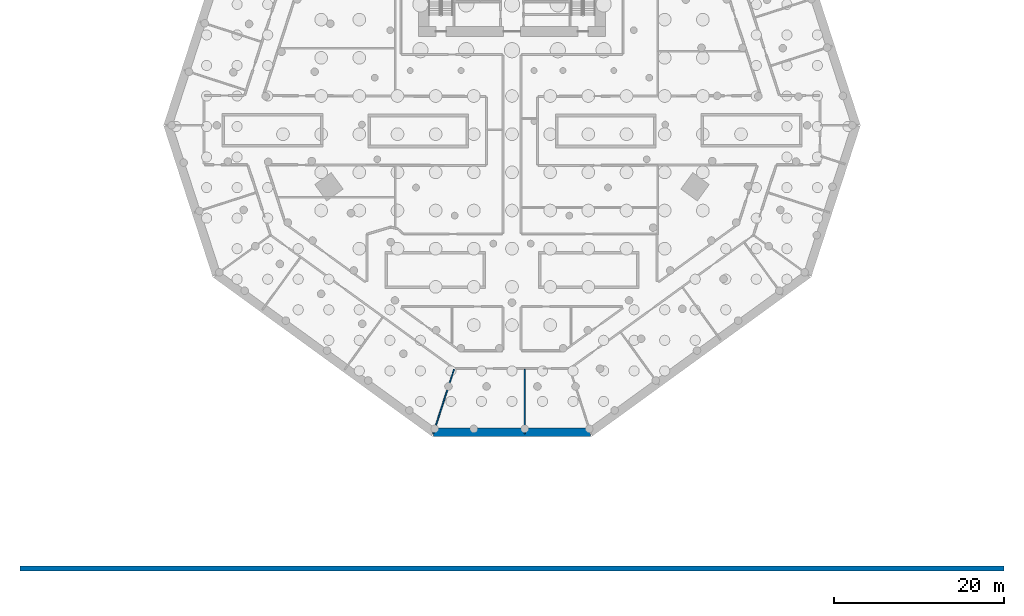
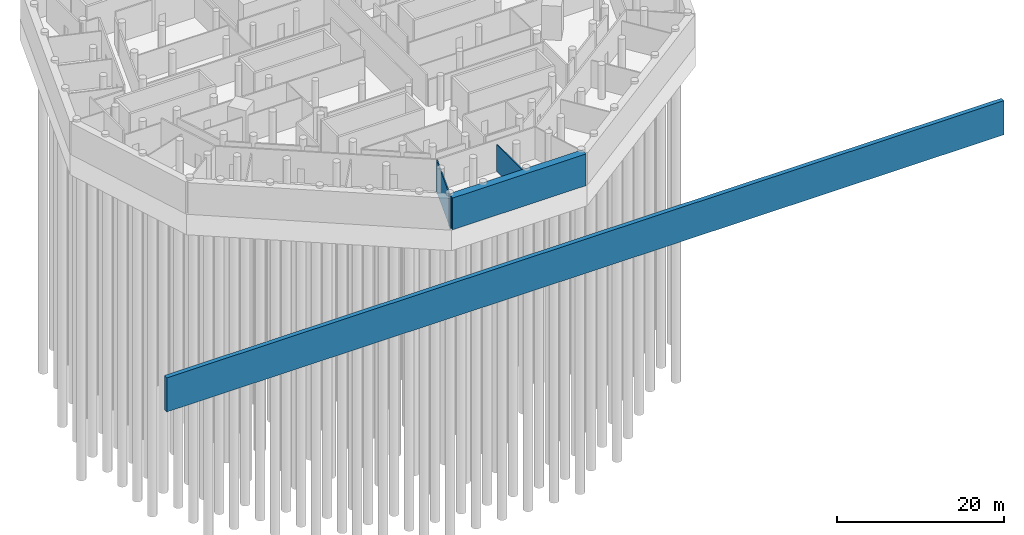
# One storey, part 4 of 12: 4 walls.
"""IFC4 building model written with IfcOpenShell, lengths in metres."""

from ifc_helpers import new_model, si_unit, direction, frame, frame_2d, origin, place, context, subcontext, project, spatial, rectangle, extrude, material, layer, layer_set, type_object, element, save


model = new_model("IFC4")

# Units and contexts
model_context = context("Model", 3, precision=1e-05, world=origin(), true_north=direction((0.0, 1.0)))
body_context = subcontext(model_context, "Body", "Model", "MODEL_VIEW")
ifc_project = project(units=[si_unit("LENGTHUNIT", "METRE"), si_unit("AREAUNIT", "SQUARE_METRE"), si_unit("VOLUMEUNIT", "CUBIC_METRE"), si_unit("PLANEANGLEUNIT", "RADIAN"), si_unit("MASSUNIT", "GRAM", prefix="KILO")], contexts=[model_context])

# Site, building, storey
site_placement = place(None, origin())
site = spatial("IfcSite", under=ifc_project, at=site_placement, CompositionType="ELEMENT")
building_placement = place(site_placement, origin())
building = spatial("IfcBuilding", under=site, at=building_placement, Name="White Candle Pilgrim Tower", CompositionType="ELEMENT")
storey_placement = place(building_placement, frame((0.0, 0.0, -10.0)))
storey = spatial("IfcBuildingStorey", under=building, at=storey_placement, Name="B2", CompositionType="ELEMENT", Elevation=-10.0)

# Walls
ifc_material_1 = material(Name="Concrete C40/50", Category="concrete")
ifc_layer_1 = layer(ifc_material_1, 1.0)
ifc_layer_set_1 = layer_set([ifc_layer_1], Name="Diaphragm wall 1000")
wall_type_1 = type_object("IfcWallType", Name="Diaphragm wall 1000", PredefinedType="SOLIDWALL", material=ifc_layer_set_1)
wall_1_placement = place(storey_placement, frame((79.240478515625, 24.361083984375, 0.0), z_axis=(0.0, 0.0, 1.0), x_axis=(-1.0, 0.0, 0.0)))
element("IfcWall", 1, at=wall_1_placement, inside=storey, type_object=wall_type_1, Name="Diaphragm wall B2-03", PredefinedType="SOLIDWALL", context=body_context, shape_type="SweptSolid", body=[
    extrude(rectangle(XDim=18.48095703125, YDim=1.0, at=frame_2d((9.240478515625, 0.0))), origin(), (0.0, 0.0, 1.0), 4.64990234375),
])
ifc_material_2 = material(Name="Gypsum board on steel studs", Category="steel")
ifc_layer_2 = layer(ifc_material_2, 0.14990234375)
ifc_layer_set_2 = layer_set([ifc_layer_2], Name="Partition 150 mm EI 60")
wall_type_2 = type_object("IfcWallType", Name="Partition 150 mm EI 60", PredefinedType="PARTITIONING", material=ifc_layer_set_2)
wall_2_placement = place(storey_placement, frame((60.700927734375, 24.18115234375, 0.0), z_axis=(0.0, 0.0, 1.0), x_axis=(0.309032181924, 0.951051581427, 0.0)))
element("IfcWall", 2, at=wall_2_placement, inside=storey, type_object=wall_type_2, Name="WL-B2-P061", PredefinedType="PARTITIONING", context=body_context, shape_type="SweptSolid", body=[
    extrude(rectangle(XDim=7.990234375, YDim=0.14990234375, at=frame_2d((3.9951171875, 0.0))), origin(), (0.0, 0.0, 1.0), 4.64990234375),
])
wall_3_placement = place(storey_placement, frame((71.5, 24.18115234375, 0.0), z_axis=(0.0, 0.0, 1.0), x_axis=(0.0, 1.0, 0.0)))
element("IfcWall", 3, at=wall_3_placement, inside=storey, type_object=wall_type_2, Name="WL-B2-P071", PredefinedType="PARTITIONING", context=body_context, shape_type="SweptSolid", body=[
    extrude(rectangle(XDim=7.579833984375, YDim=0.14990234375, at=frame_2d((3.7900390625, 0.0))), origin(), (0.0, 0.0, 1.0), 3.949951171875),
])
ifc_layer_3 = layer(ifc_material_1, 0.60009765625)
ifc_layer_set_3 = layer_set([ifc_layer_3], Name="River wall EW6 concrete C40/50 600")
wall_type_3 = type_object("IfcWallType", Name="River wall EW6 concrete C40/50 600", PredefinedType="SOLIDWALL", material=ifc_layer_set_3)
wall_4_placement = place(storey_placement, frame((12.0, 8.300048828125, 0.0), z_axis=(0.0, 0.0, 1.0), x_axis=(1.0, 0.0, 0.0)))
element("IfcWall", 4, at=wall_4_placement, inside=storey, type_object=wall_type_3, Name="River wall", PredefinedType="SOLIDWALL", context=body_context, shape_type="SweptSolid", body=[
    extrude(rectangle(XDim=116.0, YDim=0.60009765625, at=frame_2d((58.0, 0.0))), origin(), (0.0, 0.0, 1.0), 5.0),
])

save(model, "model.ifc")
